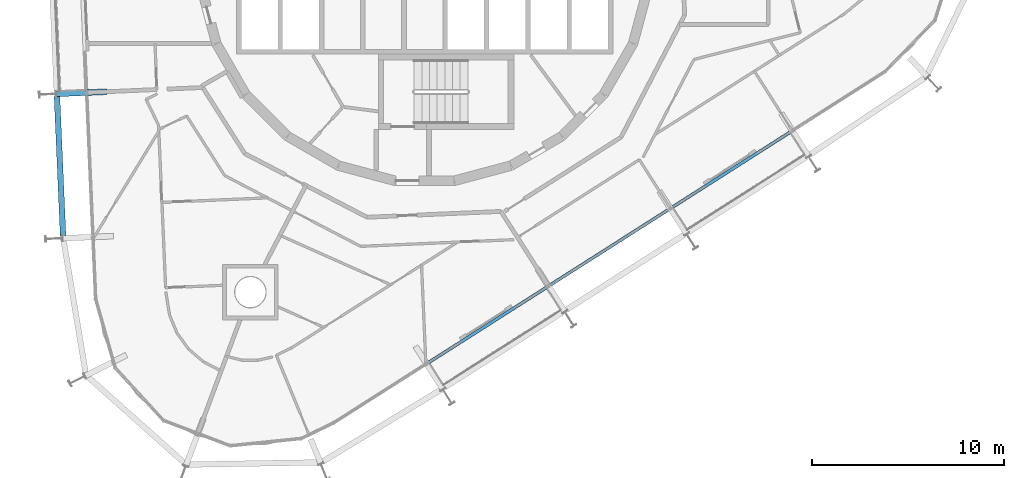
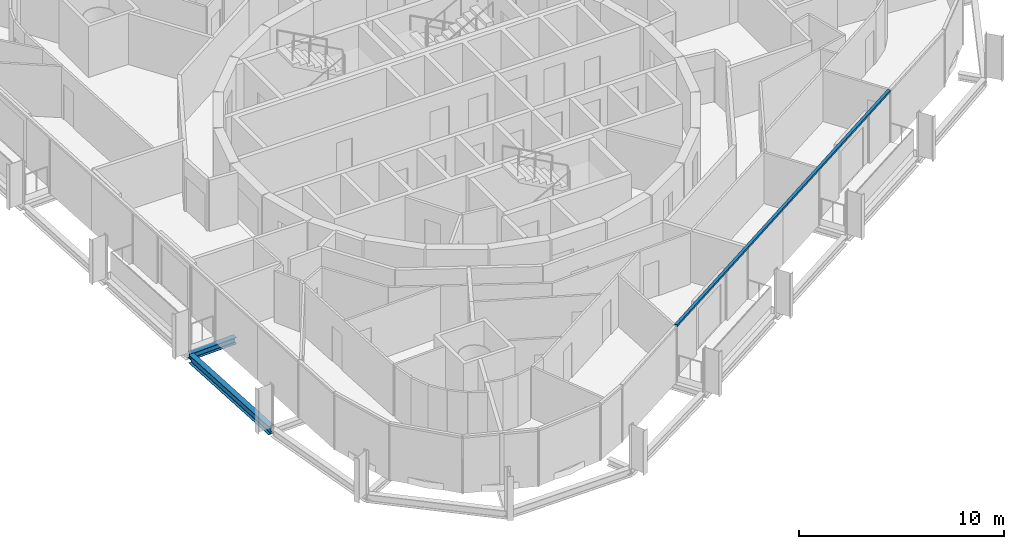
# One storey, part 3 of 18: 2 beams, 1 member, 1 element without a shape of its own.
"""IFC4 building model written with IfcOpenShell, lengths in metres."""

from ifc_helpers import new_model, si_unit, direction, frame, origin, origin_2d, place, context, subcontext, project, spatial, rectangle, i_section, extrude, material, layer, layer_set, material_profile, profile_set, type_object, element, aggregate, save


model = new_model("IFC4")

# Units and contexts
model_context = context("Model", 3, precision=1e-05, world=origin(), true_north=direction((0.0, 1.0)))
body_context = subcontext(model_context, "Body", "Model", "MODEL_VIEW")
ifc_project = project(units=[si_unit("LENGTHUNIT", "METRE"), si_unit("AREAUNIT", "SQUARE_METRE"), si_unit("VOLUMEUNIT", "CUBIC_METRE"), si_unit("PLANEANGLEUNIT", "RADIAN"), si_unit("MASSUNIT", "GRAM", prefix="KILO")], contexts=[model_context])

# Site, building, storey
site_placement = place(None, origin())
site = spatial("IfcSite", under=ifc_project, at=site_placement, CompositionType="ELEMENT")
building_placement = place(site_placement, origin())
building = spatial("IfcBuilding", under=site, at=building_placement, Name="Spindle Arch Residences", CompositionType="ELEMENT")
storey_placement = place(building_placement, frame((0.0, 0.0, 254.699951171875)))
storey = spatial("IfcBuildingStorey", under=building, at=storey_placement, Name="L65", CompositionType="ELEMENT", Elevation=254.699951171875)

# Curtain wall, member
ifc_material_1 = material(Name="Aluminium bronze unitised frame with tinted glass", Category="aluminium")
ifc_layer = layer(ifc_material_1, 0.159912109375)
ifc_layer_set = layer_set([ifc_layer], Name="CW-C typical residential unitised wall")
curtain_wall_type = type_object("IfcCurtainWallType", Name="CW-C typical residential unitised wall", PredefinedType="NOTDEFINED", material=ifc_layer_set)
curtain_wall_placement = place(storey_placement, origin())
curtain_wall = element("IfcCurtainWall", 1, at=curtain_wall_placement, inside=storey, type_object=curtain_wall_type, Name="CW-C L65 run 6", PredefinedType="NOTDEFINED")
ifc_material_2 = material(Name="Aluminium bronze anodised transom", Category="aluminium")
ifc_material_profile_1 = material_profile(ifc_material_2, rectangle(XDim=0.159912109375, YDim=0.1201171875, at=origin_2d()), Name="TR 120x160")
ifc_profile_set_1 = profile_set([ifc_material_profile_1], Name="Aluminium bronze anodised transom")
member_type = type_object("IfcMemberType", Name="Bronze transom 120x160", PredefinedType="USERDEFINED", material=ifc_profile_set_1)
member_placement = place(storey_placement, frame((0.12451171875, -21.16162109375, 2.989990234375), z_axis=(0.84339053968, 0.537301030688, 0.0), x_axis=(-0.537301030688, 0.84339053968, 0.0)))
member = element("IfcMember", 2, at=member_placement, type_object=member_type, Name="CW-C transom 00", ObjectType="TRANSOM", PredefinedType="USERDEFINED", context=body_context, shape_type="SweptSolid", body=[
    extrude(rectangle(XDim=0.159912109375, YDim=0.1201171875, at=origin_2d()), origin(), (0.0, 0.0, 1.0), 22.530029296875),
])
aggregate(curtain_wall, [member])

# Beams
ifc_material_3 = material(Name="Steel S460ML, intumescent coating R 120", Category="steel")
ifc_material_profile_2 = material_profile(ifc_material_3, i_section(OverallWidth=0.300048828125, OverallDepth=0.5, WebThickness=0.014404296875, FlangeThickness=0.028076171875, FilletRadius=0.027099609375, at=origin_2d()), Name="HEB 500")
ifc_profile_set_2 = profile_set([ifc_material_profile_2], Name="Steel S460ML, intumescent coating R 120")
beam_type_1 = type_object("IfcBeamType", Name="Exoskeleton edge beam HEB 500", PredefinedType="BEAM", material=ifc_profile_set_2)
beam_1_placement = place(storey_placement, frame((-19.156494140625, -7.24755859375, -0.6298828125), z_axis=(0.043622301665, -0.999048094337, 0.0), x_axis=(0.999048094337, 0.043622301665, 0.0)))
element("IfcBeam", 3, at=beam_1_placement, inside=storey, type_object=beam_type_1, Name="Exoskeleton edge beam 16", PredefinedType="BEAM", context=body_context, shape_type="SweptSolid", body=[
    extrude(i_section(OverallWidth=0.300048828125, OverallDepth=0.5, WebThickness=0.014404296875, FlangeThickness=0.028076171875, FilletRadius=0.027099609375, at=origin_2d()), origin(), (0.0, 0.0, 1.0), 7.27001953125),
])
ifc_material_4 = material(Name="Steel S460ML, intumescent coating R 120", Category="steel")
ifc_material_profile_3 = material_profile(ifc_material_4, i_section(OverallWidth=0.300048828125, OverallDepth=0.389892578125, WebThickness=0.010986328125, FlangeThickness=0.01904296875, FilletRadius=0.027099609375, at=origin_2d()), Name="HEA 400")
ifc_profile_set_3 = profile_set([ifc_material_profile_3], Name="Steel S460ML, intumescent coating R 120")
beam_type_2 = type_object("IfcBeamType", Name="Floor outrigger HEA 400", PredefinedType="BEAM", material=ifc_profile_set_3)
beam_2_placement = place(storey_placement, frame((-19.192138671875, -7.118896484375, -0.574951171875), z_axis=(0.999050064545, 0.04357715608, 0.0), x_axis=(-0.04357715608, 0.999050064545, 0.0)))
element("IfcBeam", 4, at=beam_2_placement, inside=storey, type_object=beam_type_2, Name="Floor outrigger 16", PredefinedType="BEAM", context=body_context, shape_type="SweptSolid", body=[
    extrude(i_section(OverallWidth=0.300048828125, OverallDepth=0.389892578125, WebThickness=0.010986328125, FlangeThickness=0.01904296875, FilletRadius=0.027099609375, at=origin_2d()), origin(), (0.0, 0.0, 1.0), 2.64990234375),
])

save(model, "model.ifc")
